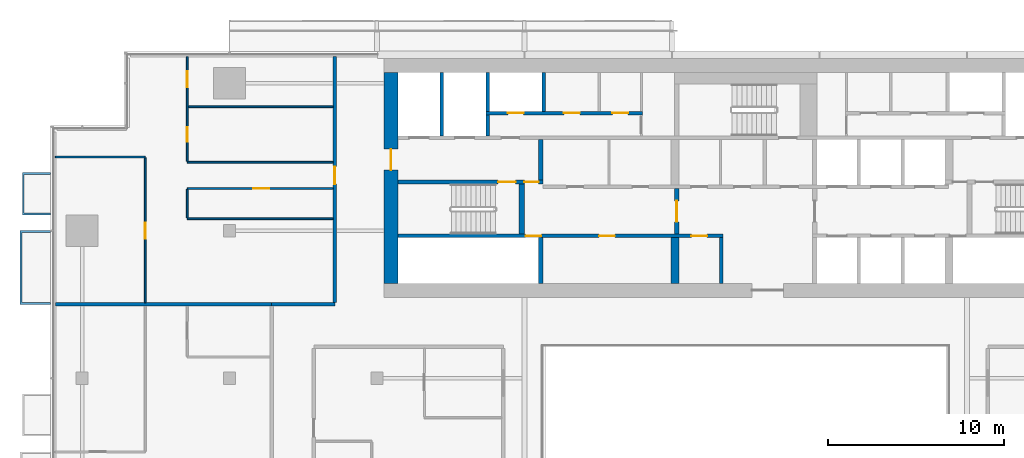
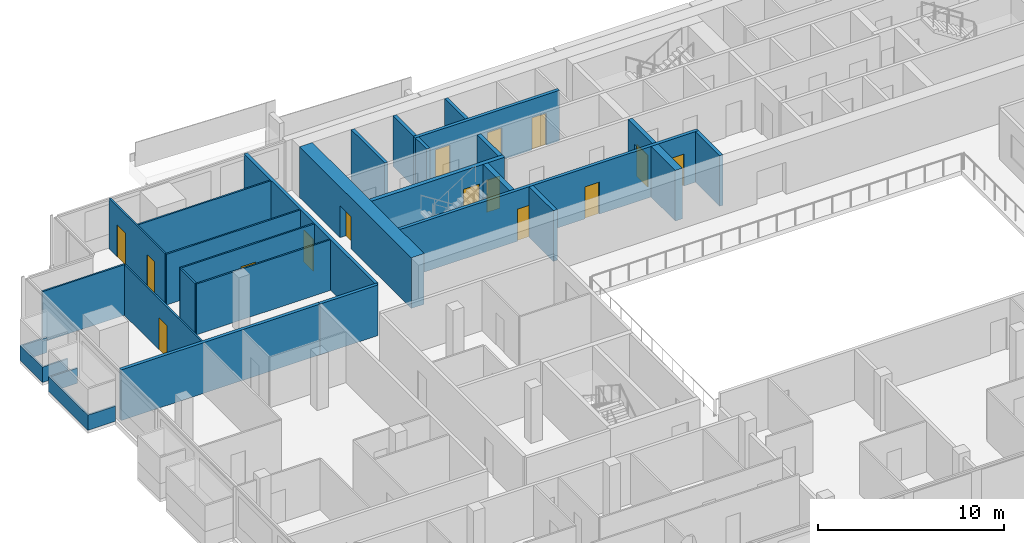
# One storey, part 20 of 28: 27 walls, 15 doors, 15 openings.
"""IFC4 building model written with IfcOpenShell, lengths in metres."""

from ifc_helpers import new_model, si_unit, direction, frame, frame_2d, origin, place, context, subcontext, project, spatial, polyline, rectangle, outline, extrude, material, layer, layer_set, type_object, element, fill, save


model = new_model("IFC4")

# Units and contexts
model_context = context("Model", 3, precision=1e-05, world=origin(), true_north=direction((0.0, 1.0)))
body_context = subcontext(model_context, "Body", "Model", "MODEL_VIEW")
ifc_project = project(units=[si_unit("LENGTHUNIT", "METRE"), si_unit("AREAUNIT", "SQUARE_METRE"), si_unit("VOLUMEUNIT", "CUBIC_METRE"), si_unit("PLANEANGLEUNIT", "RADIAN"), si_unit("MASSUNIT", "GRAM", prefix="KILO")], contexts=[model_context])

# Site, building, storey
site_placement = place(None, origin())
site = spatial("IfcSite", under=ifc_project, at=site_placement, CompositionType="ELEMENT")
building_placement = place(site_placement, origin())
building = spatial("IfcBuilding", under=site, at=building_placement, Name="Saffron Gate Tower", CompositionType="ELEMENT")
storey_placement = place(building_placement, frame((0.0, 0.0, 154.64990234375)))
storey = spatial("IfcBuildingStorey", under=building, at=storey_placement, Name="L37", CompositionType="ELEMENT", Elevation=154.64990234375)

# Wall
ifc_material_1 = material(Name="Gypsum board partition on steel studs", Category="steel")
ifc_layer_1 = layer(ifc_material_1, 0.199951171875)
ifc_layer_set_1 = layer_set([ifc_layer_1], Name="CW10 Core partition 200")
wall_type_1 = type_object("IfcWallType", Name="CW10 Core partition 200", PredefinedType="PARTITIONING", material=ifc_layer_set_1)
wall_1_placement = place(storey_placement, frame((86.199951171875, 62.39990234375, 0.0), z_axis=(0.0, 0.0, 1.0), x_axis=(0.0, 1.0, 0.0)))
element("IfcWall", 1, at=wall_1_placement, inside=storey, type_object=wall_type_1, Name="Wall CW10-L37-7", PredefinedType="PARTITIONING", context=body_context, shape_type="SweptSolid", body=[
    extrude(rectangle(XDim=2.60009765625, YDim=0.199951171875, at=frame_2d((1.300048828125, 0.0))), origin(), (0.0, 0.0, 1.0), 3.320068359375),
])

# Wall, opening, door
ifc_material_2 = material(Name="Concrete C60", Category="concrete")
ifc_layer_2 = layer(ifc_material_2, 0.800048828125)
ifc_layer_set_2 = layer_set([ifc_layer_2], Name="CW13 RC core wall 800 C60")
wall_type_2 = type_object("IfcWallType", Name="CW13 RC core wall 800 C60", PredefinedType="SOLIDWALL", material=ifc_layer_set_2)
wall_2_placement = place(storey_placement, frame((67.39990234375, 62.39990234375, 0.0), z_axis=(0.0, 0.0, 1.0), x_axis=(0.0, 1.0, 0.0)))
wall_2 = element("IfcWall", 2, at=wall_2_placement, inside=storey, type_object=wall_type_2, Name="Wall CW13-L37-3", PredefinedType="SOLIDWALL", context=body_context, shape_type="SweptSolid", body=[
    extrude(rectangle(XDim=12.0, YDim=0.800048828125, at=frame_2d((6.0, 0.0))), origin(), (0.0, 0.0, 1.0), 3.320068359375),
])
opening_1_placement = place(wall_2_placement, frame((6.449951171875, 0.0, 0.0)))
opening_1 = element("IfcOpeningElement", 3, at=opening_1_placement, cuts=wall_2, Name="Opening CR-10", PredefinedType="OPENING", context=body_context, shape_type="SweptSolid", body=[
    extrude(rectangle(XDim=1.199951171875, YDim=2.10009765625, at=frame_2d((0.60009765625, 1.050048828125))), frame((0.0, 0.41015625, 0.0), z_axis=(0.0, -1.0, 0.0), x_axis=(1.0, 0.0, 0.0)), (0.0, 0.0, 1.0), 0.820068359375),
])
ifc_material_3 = material(Name="Steel fire door set", Category="steel")
door_type_1 = type_object("IfcDoorType", Name="CD7 Core entrance door 1200x2100 EI 120", OperationType="NOTDEFINED", PredefinedType="DOOR", material=ifc_material_3)
door_1_placement = place(opening_1_placement, origin())
door_1 = element("IfcDoor", 4, at=door_1_placement, inside=storey, type_object=door_type_1, Name="DOOR CR-10", OperationType="SINGLE_SWING_LEFT", OverallHeight=2.10009765625, OverallWidth=1.199951171875, PredefinedType="DOOR", context=body_context, shape_type="SweptSolid", body=[
    extrude(rectangle(XDim=1.199951171875, YDim=2.10009765625, at=frame_2d((0.60009765625, 1.050048828125))), frame((0.0, 0.02490234375, 0.0), z_axis=(0.0, -1.0, 0.0), x_axis=(1.0, 0.0, 0.0)), (0.0, 0.0, 1.0), 0.050048828125),
])
fill(opening_1, door_1)

# Wall
ifc_layer_3 = layer(ifc_material_2, 0.25)
ifc_layer_set_3 = layer_set([ifc_layer_3], Name="CW14 RC core wall 250 C60")
wall_type_3 = type_object("IfcWallType", Name="CW14 RC core wall 250 C60", PredefinedType="SOLIDWALL", material=ifc_layer_set_3)
wall_3_placement = place(storey_placement, frame((75.925048828125, 62.39990234375, 0.0), z_axis=(0.0, 0.0, 1.0), x_axis=(0.0, 1.0, 0.0)))
element("IfcWall", 5, at=wall_3_placement, inside=storey, type_object=wall_type_3, Name="Wall CW14-L37-5", PredefinedType="SOLIDWALL", context=body_context, shape_type="SweptSolid", body=[
    extrude(rectangle(XDim=2.60009765625, YDim=0.25, at=frame_2d((1.300048828125, 0.0))), origin(), (0.0, 0.0, 1.0), 3.320068359375),
])

# Wall, opening, door
wall_4_placement = place(storey_placement, frame((83.675048828125, 65.199951171875, 0.0), z_axis=(0.0, 0.0, 1.0), x_axis=(0.0, 1.0, 0.0)))
wall_4 = element("IfcWall", 6, at=wall_4_placement, inside=storey, type_object=wall_type_3, Name="Wall CW14-L37-15", PredefinedType="SOLIDWALL", context=body_context, shape_type="SweptSolid", body=[
    extrude(rectangle(XDim=2.60009765625, YDim=0.25, at=frame_2d((1.300048828125, 0.0))), origin(), (0.0, 0.0, 1.0), 3.320068359375),
])
opening_2_placement = place(wall_4_placement, frame((0.699951171875, 0.0, 0.0)))
opening_2 = element("IfcOpeningElement", 7, at=opening_2_placement, cuts=wall_4, Name="Opening CR-07", PredefinedType="OPENING", context=body_context, shape_type="SweptSolid", body=[
    extrude(rectangle(XDim=1.199951171875, YDim=2.10009765625, at=frame_2d((0.60009765625, 1.050048828125))), frame((0.0, 0.135009765625, 0.0), z_axis=(0.0, -1.0, 0.0), x_axis=(1.0, 0.0, 0.0)), (0.0, 0.0, 1.0), 0.27001953125),
])
door_type_2 = type_object("IfcDoorType", Name="CD3 Lobby door 1200x2100 EI 120", OperationType="NOTDEFINED", PredefinedType="DOOR", material=ifc_material_3)
door_2_placement = place(opening_2_placement, origin())
door_2 = element("IfcDoor", 8, at=door_2_placement, inside=storey, type_object=door_type_2, Name="DOOR CR-07", OperationType="SINGLE_SWING_RIGHT", OverallHeight=2.10009765625, OverallWidth=1.199951171875, PredefinedType="DOOR", context=body_context, shape_type="SweptSolid", body=[
    extrude(rectangle(XDim=1.199951171875, YDim=2.10009765625, at=frame_2d((0.60009765625, 1.050048828125))), frame((0.0, 0.02490234375, 0.0), z_axis=(0.0, -1.0, 0.0), x_axis=(1.0, 0.0, 0.0)), (0.0, 0.0, 1.0), 0.050048828125),
])
fill(opening_2, door_2)

# Wall, openings, doors
wall_5_placement = place(storey_placement, frame((67.800048828125, 68.175048828125, 0.0), z_axis=(0.0, 0.0, 1.0), x_axis=(1.0, 0.0, 0.0)))
wall_5 = element("IfcWall", 9, at=wall_5_placement, inside=storey, type_object=wall_type_3, Name="Wall CW14-L37-27", PredefinedType="SOLIDWALL", context=body_context, shape_type="SweptSolid", body=[
    extrude(rectangle(XDim=8.25, YDim=0.25, at=frame_2d((4.125, 0.0))), origin(), (0.0, 0.0, 1.0), 3.320068359375),
])
opening_3_placement = place(wall_5_placement, frame((5.699951171875, 0.0, 0.0)))
opening_3 = element("IfcOpeningElement", 10, at=opening_3_placement, cuts=wall_5, Name="Opening CR-15", PredefinedType="OPENING", context=body_context, shape_type="SweptSolid", body=[
    extrude(rectangle(XDim=1.0, YDim=2.10009765625, at=frame_2d((0.5, 1.050048828125))), frame((0.0, 0.135009765625, 0.0), z_axis=(0.0, -1.0, 0.0), x_axis=(1.0, 0.0, 0.0)), (0.0, 0.0, 1.0), 0.27001953125),
])
opening_4_placement = place(wall_5_placement, frame((7.199951171875, 0.0, 0.0)))
opening_4 = element("IfcOpeningElement", 11, at=opening_4_placement, cuts=wall_5, Name="Opening CR-06", PredefinedType="OPENING", context=body_context, shape_type="SweptSolid", body=[
    extrude(rectangle(XDim=0.800048828125, YDim=2.10009765625, at=frame_2d((0.39990234375, 1.050048828125))), frame((0.0, 0.135009765625, 0.0), z_axis=(0.0, -1.0, 0.0), x_axis=(1.0, 0.0, 0.0)), (0.0, 0.0, 1.0), 0.27001953125),
])
door_type_3 = type_object("IfcDoorType", Name="CD5 Stair door 1000x2100 EI 120", OperationType="NOTDEFINED", PredefinedType="DOOR", material=ifc_material_3)
door_3_placement = place(opening_3_placement, origin())
door_3 = element("IfcDoor", 12, at=door_3_placement, inside=storey, type_object=door_type_3, Name="DOOR CR-15", OperationType="SINGLE_SWING_RIGHT", OverallHeight=2.10009765625, OverallWidth=1.0, PredefinedType="DOOR", context=body_context, shape_type="SweptSolid", body=[
    extrude(rectangle(XDim=1.0, YDim=2.10009765625, at=frame_2d((0.5, 1.050048828125))), frame((0.0, 0.02490234375, 0.0), z_axis=(0.0, -1.0, 0.0), x_axis=(1.0, 0.0, 0.0)), (0.0, 0.0, 1.0), 0.050048828125),
])
fill(opening_3, door_3)
door_type_4 = type_object("IfcDoorType", Name="CD6 Lobby door 800x2100 EI 120", OperationType="NOTDEFINED", PredefinedType="DOOR", material=ifc_material_3)
door_4_placement = place(opening_4_placement, origin())
door_4 = element("IfcDoor", 13, at=door_4_placement, inside=storey, type_object=door_type_4, Name="DOOR CR-06", OperationType="SINGLE_SWING_LEFT", OverallHeight=2.10009765625, OverallWidth=0.800048828125, PredefinedType="DOOR", context=body_context, shape_type="SweptSolid", body=[
    extrude(rectangle(XDim=0.800048828125, YDim=2.10009765625, at=frame_2d((0.39990234375, 1.050048828125))), frame((0.0, 0.02490234375, 0.0), z_axis=(0.0, -1.0, 0.0), x_axis=(1.0, 0.0, 0.0)), (0.0, 0.0, 1.0), 0.050048828125),
])
fill(opening_4, door_4)

# Wall
wall_6_placement = place(storey_placement, frame((75.925048828125, 68.300048828125, 0.0), z_axis=(0.0, 0.0, 1.0), x_axis=(0.0, 1.0, 0.0)))
element("IfcWall", 14, at=wall_6_placement, inside=storey, type_object=wall_type_3, Name="Wall CW14-L37-29", PredefinedType="SOLIDWALL", context=body_context, shape_type="SweptSolid", body=[
    extrude(rectangle(XDim=2.300048828125, YDim=0.25, at=frame_2d((1.14990234375, 0.0))), origin(), (0.0, 0.0, 1.0), 3.320068359375),
])

# Wall, openings, doors
ifc_layer_4 = layer(ifc_material_2, 0.199951171875)
ifc_layer_set_4 = layer_set([ifc_layer_4], Name="CW15 RC core wall 200 C60")
wall_type_4 = type_object("IfcWallType", Name="CW15 RC core wall 200 C60", PredefinedType="SOLIDWALL", material=ifc_layer_set_4)
wall_7_placement = place(storey_placement, frame((67.800048828125, 65.10009765625, 0.0), z_axis=(0.0, 0.0, 1.0), x_axis=(1.0, 0.0, 0.0)))
wall_7 = element("IfcWall", 15, at=wall_7_placement, inside=storey, type_object=wall_type_4, Name="Wall CW15-L37-12", PredefinedType="SOLIDWALL", context=body_context, shape_type="SweptSolid", body=[
    extrude(rectangle(XDim=18.5, YDim=0.199951171875, at=frame_2d((9.25, 0.0))), origin(), (0.0, 0.0, 1.0), 3.320068359375),
])
opening_5_placement = place(wall_7_placement, frame((7.27001953125, 0.0, 0.0)))
opening_5 = element("IfcOpeningElement", 16, at=opening_5_placement, cuts=wall_7, Name="Opening CR-49", PredefinedType="OPENING", context=body_context, shape_type="SweptSolid", body=[
    extrude(rectangle(XDim=0.89990234375, YDim=2.10009765625, at=frame_2d((0.449951171875, 1.050048828125))), frame((0.0, 0.10986328125, 0.0), z_axis=(0.0, -1.0, 0.0), x_axis=(1.0, 0.0, 0.0)), (0.0, 0.0, 1.0), 0.219970703125),
])
opening_6_placement = place(wall_7_placement, frame((11.449951171875, 0.0, 0.0)))
opening_6 = element("IfcOpeningElement", 17, at=opening_6_placement, cuts=wall_7, Name="Opening CR-64", PredefinedType="OPENING", context=body_context, shape_type="SweptSolid", body=[
    extrude(rectangle(XDim=0.89990234375, YDim=2.10009765625, at=frame_2d((0.449951171875, 1.050048828125))), frame((0.0, 0.10986328125, 0.0), z_axis=(0.0, -1.0, 0.0), x_axis=(1.0, 0.0, 0.0)), (0.0, 0.0, 1.0), 0.219970703125),
])
opening_7_placement = place(wall_7_placement, frame((16.699951171875, 0.0, 0.0)))
opening_7 = element("IfcOpeningElement", 18, at=opening_7_placement, cuts=wall_7, Name="Opening CR-69", PredefinedType="OPENING", context=body_context, shape_type="SweptSolid", body=[
    extrude(rectangle(XDim=0.89990234375, YDim=2.10009765625, at=frame_2d((0.449951171875, 1.050048828125))), frame((0.0, 0.10986328125, 0.0), z_axis=(0.0, -1.0, 0.0), x_axis=(1.0, 0.0, 0.0)), (0.0, 0.0, 1.0), 0.219970703125),
])
door_type_5 = type_object("IfcDoorType", Name="CD2 Riser door 900x2100 EI 60", OperationType="NOTDEFINED", PredefinedType="DOOR", material=ifc_material_3)
door_5_placement = place(opening_5_placement, origin())
door_5 = element("IfcDoor", 19, at=door_5_placement, inside=storey, type_object=door_type_5, Name="DOOR CR-49", OperationType="SINGLE_SWING_LEFT", OverallHeight=2.10009765625, OverallWidth=0.89990234375, PredefinedType="DOOR", context=body_context, shape_type="SweptSolid", body=[
    extrude(rectangle(XDim=0.89990234375, YDim=2.10009765625, at=frame_2d((0.449951171875, 1.050048828125))), frame((0.0, 0.02490234375, 0.0), z_axis=(0.0, -1.0, 0.0), x_axis=(1.0, 0.0, 0.0)), (0.0, 0.0, 1.0), 0.050048828125),
])
fill(opening_5, door_5)
door_type_6 = type_object("IfcDoorType", Name="CD9 Room door 900x2100 EI 60", OperationType="NOTDEFINED", PredefinedType="DOOR", material=ifc_material_3)
door_6_placement = place(opening_6_placement, origin())
door_6 = element("IfcDoor", 20, at=door_6_placement, inside=storey, type_object=door_type_6, Name="DOOR CR-64", OperationType="SINGLE_SWING_RIGHT", OverallHeight=2.10009765625, OverallWidth=0.89990234375, PredefinedType="DOOR", context=body_context, shape_type="SweptSolid", body=[
    extrude(rectangle(XDim=0.89990234375, YDim=2.10009765625, at=frame_2d((0.449951171875, 1.050048828125))), frame((0.0, 0.02490234375, 0.0), z_axis=(0.0, -1.0, 0.0), x_axis=(1.0, 0.0, 0.0)), (0.0, 0.0, 1.0), 0.050048828125),
])
fill(opening_6, door_6)
door_7_placement = place(opening_7_placement, origin())
door_7 = element("IfcDoor", 21, at=door_7_placement, inside=storey, type_object=door_type_6, Name="DOOR CR-69", OperationType="SINGLE_SWING_RIGHT", OverallHeight=2.10009765625, OverallWidth=0.89990234375, PredefinedType="DOOR", context=body_context, shape_type="SweptSolid", body=[
    extrude(rectangle(XDim=0.89990234375, YDim=2.10009765625, at=frame_2d((0.449951171875, 1.050048828125))), frame((0.0, 0.02490234375, 0.0), z_axis=(0.0, -1.0, 0.0), x_axis=(1.0, 0.0, 0.0)), (0.0, 0.0, 1.0), 0.050048828125),
])
fill(opening_7, door_7)

# Walls
wall_8_placement = place(storey_placement, frame((70.300048828125, 70.800048828125, 0.0), z_axis=(0.0, 0.0, 1.0), x_axis=(0.0, 1.0, 0.0)))
element("IfcWall", 22, at=wall_8_placement, inside=storey, type_object=wall_type_4, Name="Wall CW15-L37-32", PredefinedType="SOLIDWALL", context=body_context, shape_type="SweptSolid", body=[
    extrude(rectangle(XDim=3.599853515625, YDim=0.199951171875, at=frame_2d((1.7998046875, 0.0))), origin(), (0.0, 0.0, 1.0), 3.320068359375),
])
wall_9_placement = place(storey_placement, frame((72.89990234375, 70.800048828125, 0.0), z_axis=(0.0, 0.0, 1.0), x_axis=(0.0, 1.0, 0.0)))
element("IfcWall", 23, at=wall_9_placement, inside=storey, type_object=wall_type_4, Name="Wall CW15-L37-33", PredefinedType="SOLIDWALL", context=body_context, shape_type="SweptSolid", body=[
    extrude(rectangle(XDim=1.199951171875, YDim=0.199951171875, at=frame_2d((0.60009765625, 0.0))), origin(), (0.0, 0.0, 1.0), 3.320068359375),
])

# Wall, openings, doors
wall_10_placement = place(storey_placement, frame((72.800048828125, 72.10009765625, 0.0), z_axis=(0.0, 0.0, 1.0), x_axis=(1.0, 0.0, 0.0)))
wall_10 = element("IfcWall", 24, at=wall_10_placement, inside=storey, type_object=wall_type_4, Name="Wall CW15-L37-40", PredefinedType="SOLIDWALL", context=body_context, shape_type="SweptSolid", body=[
    extrude(rectangle(XDim=8.919921875, YDim=0.199951171875, at=frame_2d((4.4599609375, 0.0))), origin(), (0.0, 0.0, 1.0), 3.320068359375),
])
opening_8_placement = place(wall_10_placement, frame((1.25, 0.0, 0.0)))
opening_8 = element("IfcOpeningElement", 25, at=opening_8_placement, cuts=wall_10, Name="Opening CR-71", PredefinedType="OPENING", context=body_context, shape_type="SweptSolid", body=[
    extrude(rectangle(XDim=0.89990234375, YDim=2.10009765625, at=frame_2d((0.449951171875, 1.050048828125))), frame((0.0, 0.10986328125, 0.0), z_axis=(0.0, -1.0, 0.0), x_axis=(1.0, 0.0, 0.0)), (0.0, 0.0, 1.0), 0.219970703125),
])
opening_9_placement = place(wall_10_placement, frame((4.449951171875, 0.0, 0.0)))
opening_9 = element("IfcOpeningElement", 26, at=opening_9_placement, cuts=wall_10, Name="Opening CR-55", PredefinedType="OPENING", context=body_context, shape_type="SweptSolid", body=[
    extrude(rectangle(XDim=0.89990234375, YDim=2.10009765625, at=frame_2d((0.449951171875, 1.050048828125))), frame((0.0, 0.10986328125, 0.0), z_axis=(0.0, -1.0, 0.0), x_axis=(1.0, 0.0, 0.0)), (0.0, 0.0, 1.0), 0.219970703125),
])
opening_10_placement = place(wall_10_placement, frame((7.2099609375, 0.0, 0.0)))
opening_10 = element("IfcOpeningElement", 27, at=opening_10_placement, cuts=wall_10, Name="Opening CR-58", PredefinedType="OPENING", context=body_context, shape_type="SweptSolid", body=[
    extrude(rectangle(XDim=0.89990234375, YDim=2.10009765625, at=frame_2d((0.449951171875, 1.050048828125))), frame((0.0, 0.10986328125, 0.0), z_axis=(0.0, -1.0, 0.0), x_axis=(1.0, 0.0, 0.0)), (0.0, 0.0, 1.0), 0.219970703125),
])
door_8_placement = place(opening_8_placement, origin())
door_8 = element("IfcDoor", 28, at=door_8_placement, inside=storey, type_object=door_type_5, Name="DOOR CR-71", OperationType="SINGLE_SWING_LEFT", OverallHeight=2.10009765625, OverallWidth=0.89990234375, PredefinedType="DOOR", context=body_context, shape_type="SweptSolid", body=[
    extrude(rectangle(XDim=0.89990234375, YDim=2.10009765625, at=frame_2d((0.449951171875, 1.050048828125))), frame((0.0, 0.02490234375, 0.0), z_axis=(0.0, -1.0, 0.0), x_axis=(1.0, 0.0, 0.0)), (0.0, 0.0, 1.0), 0.050048828125),
])
fill(opening_8, door_8)
door_9_placement = place(opening_9_placement, origin())
door_9 = element("IfcDoor", 29, at=door_9_placement, inside=storey, type_object=door_type_6, Name="DOOR CR-55", OperationType="SINGLE_SWING_LEFT", OverallHeight=2.10009765625, OverallWidth=0.89990234375, PredefinedType="DOOR", context=body_context, shape_type="SweptSolid", body=[
    extrude(rectangle(XDim=0.89990234375, YDim=2.10009765625, at=frame_2d((0.449951171875, 1.050048828125))), frame((0.0, 0.02490234375, 0.0), z_axis=(0.0, -1.0, 0.0), x_axis=(1.0, 0.0, 0.0)), (0.0, 0.0, 1.0), 0.050048828125),
])
fill(opening_9, door_9)
door_10_placement = place(opening_10_placement, origin())
door_10 = element("IfcDoor", 30, at=door_10_placement, inside=storey, type_object=door_type_6, Name="DOOR CR-58", OperationType="SINGLE_SWING_LEFT", OverallHeight=2.10009765625, OverallWidth=0.89990234375, PredefinedType="DOOR", context=body_context, shape_type="SweptSolid", body=[
    extrude(rectangle(XDim=0.89990234375, YDim=2.10009765625, at=frame_2d((0.449951171875, 1.050048828125))), frame((0.0, 0.02490234375, 0.0), z_axis=(0.0, -1.0, 0.0), x_axis=(1.0, 0.0, 0.0)), (0.0, 0.0, 1.0), 0.050048828125),
])
fill(opening_10, door_10)

# Walls
for number, where, z_axis, x_axis, name in (
    (31, (72.89990234375, 72.199951171875, 0.0), (0.0, 0.0, 1.0), (0.0, 1.0, 0.0), "Wall CW15-L37-42"),
    (32, (76.10009765625, 72.199951171875, 0.0), (0.0, 0.0, 1.0), (0.0, 1.0, 0.0), "Wall CW15-L37-43"),
):
    element("IfcWall", number, at=place(storey_placement, frame(where, z_axis=z_axis, x_axis=x_axis)), inside=storey, type_object=wall_type_4, Name=name, PredefinedType="SOLIDWALL", context=body_context, shape_type="SweptSolid", body=[
        extrude(rectangle(XDim=2.199951171875, YDim=0.199951171875, at=frame_2d((1.10009765625, 0.0))), origin(), (0.0, 0.0, 1.0), 3.320068359375),
    ])
ifc_layer_5 = layer(ifc_material_2, 0.449951171875)
ifc_layer_set_5 = layer_set([ifc_layer_5], Name="CW16 RC core wall 450 C60")
wall_type_5 = type_object("IfcWallType", Name="CW16 RC core wall 450 C60", PredefinedType="SOLIDWALL", material=ifc_layer_set_5)
wall_11_placement = place(storey_placement, frame((83.574951171875, 62.39990234375, 0.0), z_axis=(0.0, 0.0, 1.0), x_axis=(0.0, 1.0, 0.0)))
element("IfcWall", 33, at=wall_11_placement, inside=storey, type_object=wall_type_5, Name="Wall CW16-L37-6", PredefinedType="SOLIDWALL", context=body_context, shape_type="SweptSolid", body=[
    extrude(rectangle(XDim=2.60009765625, YDim=0.449951171875, at=frame_2d((1.300048828125, 0.0))), origin(), (0.0, 0.0, 1.0), 3.320068359375),
])
ifc_layer_6 = layer(ifc_material_2, 0.300048828125)
ifc_layer_set_6 = layer_set([ifc_layer_6], Name="CW17 RC core wall 300 C60")
wall_type_6 = type_object("IfcWallType", Name="CW17 RC core wall 300 C60", PredefinedType="SOLIDWALL", material=ifc_layer_set_6)
wall_12_placement = place(storey_placement, frame((74.85009765625, 65.199951171875, 0.0), z_axis=(0.0, 0.0, 1.0), x_axis=(0.0, 1.0, 0.0)))
element("IfcWall", 34, at=wall_12_placement, inside=storey, type_object=wall_type_6, Name="Wall CW17-L37-14", PredefinedType="SOLIDWALL", context=body_context, shape_type="SweptSolid", body=[
    extrude(rectangle(XDim=2.85009765625, YDim=0.300048828125, at=frame_2d((1.425048828125, 0.0))), origin(), (0.0, 0.0, 1.0), 3.320068359375),
])
ifc_material_4 = material(Name="Plasterboard on steel studs", Category="steel")
ifc_layer_7 = layer(ifc_material_4, 0.10009765625)
ifc_layer_set_7 = layer_set([ifc_layer_7], Name="PW1 Partition 100")
wall_type_7 = type_object("IfcWallType", Name="PW1 Partition 100", PredefinedType="PARTITIONING", material=ifc_layer_set_7)
wall_13_placement = place(storey_placement, frame((55.800048828125, 66.0810546875, 0.0), z_axis=(0.0, 0.0, 1.0), x_axis=(1.0, 0.0, 0.0)))
element("IfcWall", 35, at=wall_13_placement, inside=storey, type_object=wall_type_7, Name="Partition C1-48", PredefinedType="PARTITIONING", context=body_context, shape_type="SweptSolid", body=[
    extrude(rectangle(XDim=8.300048828125, YDim=0.10009765625, at=frame_2d((4.14990234375, 0.0))), origin(), (0.0, 0.0, 1.0), 3.320068359375),
])

# Wall, opening, door
wall_14_placement = place(storey_placement, frame((64.10009765625, 67.800048828125, 0.0), z_axis=(0.0, 0.0, 1.0), x_axis=(-1.0, 0.0, 0.0)))
wall_14 = element("IfcWall", 36, at=wall_14_placement, inside=storey, type_object=wall_type_7, Name="Partition C1-50", PredefinedType="PARTITIONING", context=body_context, shape_type="SweptSolid", body=[
    extrude(rectangle(XDim=8.300048828125, YDim=0.10009765625, at=frame_2d((4.14990234375, 0.0))), origin(), (0.0, 0.0, 1.0), 3.320068359375),
])
opening_11_placement = place(wall_14_placement, frame((3.64990234375, 0.0, 0.0)))
opening_11 = element("IfcOpeningElement", 37, at=opening_11_placement, cuts=wall_14, Name="Opening C1-29", PredefinedType="OPENING", context=body_context, shape_type="SweptSolid", body=[
    extrude(rectangle(XDim=0.89990234375, YDim=2.10009765625, at=frame_2d((0.449951171875, 1.050048828125))), frame((0.0, 0.06005859375, 0.0), z_axis=(0.0, -1.0, 0.0), x_axis=(1.0, 0.0, 0.0)), (0.0, 0.0, 1.0), 0.1201171875),
])
ifc_material_5 = material(Name="Timber door set", Category="wood")
door_type_7 = type_object("IfcDoorType", Name="RD1 Room door 900x2100", OperationType="NOTDEFINED", PredefinedType="DOOR", material=ifc_material_5)
door_11_placement = place(opening_11_placement, origin())
door_11 = element("IfcDoor", 38, at=door_11_placement, inside=storey, type_object=door_type_7, Name="Door C1-29", OperationType="SINGLE_SWING_LEFT", OverallHeight=2.10009765625, OverallWidth=0.89990234375, PredefinedType="DOOR", context=body_context, shape_type="SweptSolid", body=[
    extrude(rectangle(XDim=0.89990234375, YDim=2.10009765625, at=frame_2d((0.449951171875, 1.050048828125))), frame((0.0, 0.02490234375, 0.0), z_axis=(0.0, -1.0, 0.0), x_axis=(1.0, 0.0, 0.0)), (0.0, 0.0, 1.0), 0.050048828125),
])
fill(opening_11, door_11)

# Walls
wall_15_placement = place(storey_placement, frame((55.800048828125, 69.300048828125, 0.0), z_axis=(0.0, 0.0, 1.0), x_axis=(1.0, 0.0, 0.0)))
element("IfcWall", 39, at=wall_15_placement, inside=storey, type_object=wall_type_7, Name="Partition C1-51", PredefinedType="PARTITIONING", context=body_context, shape_type="SweptSolid", body=[
    extrude(rectangle(XDim=8.300048828125, YDim=0.10009765625, at=frame_2d((4.14990234375, 0.0))), origin(), (0.0, 0.0, 1.0), 3.320068359375),
])
wall_16_placement = place(storey_placement, frame((48.280029296875, 69.60009765625, 0.0), z_axis=(0.0, 0.0, 1.0), x_axis=(1.0, 0.0, 0.0)))
element("IfcWall", 40, at=wall_16_placement, inside=storey, type_object=wall_type_7, Name="Partition C1-52", PredefinedType="PARTITIONING", context=body_context, shape_type="SweptSolid", body=[
    extrude(rectangle(XDim=5.119873046875, YDim=0.10009765625, at=frame_2d((2.56005859375, 0.0))), origin(), (0.0, 0.0, 1.0), 3.320068359375),
])
wall_17_placement = place(storey_placement, frame((55.85009765625, 72.454833984375, 0.0), z_axis=(0.0, 0.0, 1.0), x_axis=(1.0, 0.0, 0.0)))
element("IfcWall", 41, at=wall_17_placement, inside=storey, type_object=wall_type_7, Name="Partition C1-56", PredefinedType="PARTITIONING", context=body_context, shape_type="SweptSolid", body=[
    extrude(rectangle(XDim=8.25, YDim=0.10009765625, at=frame_2d((4.125, 0.0))), origin(), (0.0, 0.0, 1.0), 3.320068359375),
])
wall_18_placement = place(storey_placement, frame((55.800048828125, 67.75, 0.0), z_axis=(0.0, 0.0, 1.0), x_axis=(0.0, -1.0, 0.0)))
element("IfcWall", 42, at=wall_18_placement, inside=storey, type_object=wall_type_7, Name="Partition C1-62", PredefinedType="PARTITIONING", context=body_context, shape_type="SweptSolid", body=[
    extrude(rectangle(XDim=1.618896484375, YDim=0.10009765625, at=frame_2d((0.8095703125, 0.0))), origin(), (0.0, 0.0, 1.0), 3.320068359375),
])

# Wall, openings, doors
wall_19_placement = place(storey_placement, frame((55.800048828125, 75.320068359375, 0.0), z_axis=(0.0, 0.0, 1.0), x_axis=(0.0, -1.0, 0.0)))
wall_19 = element("IfcWall", 43, at=wall_19_placement, inside=storey, type_object=wall_type_7, Name="Partition C1-63", PredefinedType="PARTITIONING", context=body_context, shape_type="SweptSolid", body=[
    extrude(rectangle(XDim=5.969970703125, YDim=0.10009765625, at=frame_2d((2.98486328125, 0.0))), origin(), (0.0, 0.0, 1.0), 3.320068359375),
])
opening_12_placement = place(wall_19_placement, frame((0.842529296875, 0.0, 0.0)))
opening_12 = element("IfcOpeningElement", 44, at=opening_12_placement, cuts=wall_19, Name="Opening C1-30", PredefinedType="OPENING", context=body_context, shape_type="SweptSolid", body=[
    extrude(rectangle(XDim=0.89990234375, YDim=2.10009765625, at=frame_2d((0.449951171875, 1.050048828125))), frame((0.0, 0.06005859375, 0.0), z_axis=(0.0, -1.0, 0.0), x_axis=(1.0, 0.0, 0.0)), (0.0, 0.0, 1.0), 0.1201171875),
])
opening_13_placement = place(wall_19_placement, frame((4.04248046875, 0.0, 0.0)))
opening_13 = element("IfcOpeningElement", 45, at=opening_13_placement, cuts=wall_19, Name="Opening C1-48", PredefinedType="OPENING", context=body_context, shape_type="SweptSolid", body=[
    extrude(rectangle(XDim=0.800048828125, YDim=2.10009765625, at=frame_2d((0.39990234375, 1.050048828125))), frame((0.0, 0.06005859375, 0.0), z_axis=(0.0, -1.0, 0.0), x_axis=(1.0, 0.0, 0.0)), (0.0, 0.0, 1.0), 0.1201171875),
])
door_12_placement = place(opening_12_placement, origin())
door_12 = element("IfcDoor", 46, at=door_12_placement, inside=storey, type_object=door_type_7, Name="Door C1-30", OperationType="SINGLE_SWING_LEFT", OverallHeight=2.10009765625, OverallWidth=0.89990234375, PredefinedType="DOOR", context=body_context, shape_type="SweptSolid", body=[
    extrude(rectangle(XDim=0.89990234375, YDim=2.10009765625, at=frame_2d((0.449951171875, 1.050048828125))), frame((0.0, 0.02490234375, 0.0), z_axis=(0.0, -1.0, 0.0), x_axis=(1.0, 0.0, 0.0)), (0.0, 0.0, 1.0), 0.050048828125),
])
fill(opening_12, door_12)
door_type_8 = type_object("IfcDoorType", Name="RD2 Bathroom door 800x2100", OperationType="NOTDEFINED", PredefinedType="DOOR", material=ifc_material_5)
door_13_placement = place(opening_13_placement, origin())
door_13 = element("IfcDoor", 47, at=door_13_placement, inside=storey, type_object=door_type_8, Name="Door C1-48", OperationType="SINGLE_SWING_RIGHT", OverallHeight=2.10009765625, OverallWidth=0.800048828125, PredefinedType="DOOR", context=body_context, shape_type="SweptSolid", body=[
    extrude(rectangle(XDim=0.800048828125, YDim=2.10009765625, at=frame_2d((0.39990234375, 1.050048828125))), frame((0.0, 0.02490234375, 0.0), z_axis=(0.0, -1.0, 0.0), x_axis=(1.0, 0.0, 0.0)), (0.0, 0.0, 1.0), 0.050048828125),
])
fill(opening_13, door_13)

# Wall, opening, door
wall_20_placement = place(storey_placement, frame((53.39990234375, 61.300048828125, 0.0), z_axis=(0.0, 0.0, 1.0), x_axis=(0.0, 1.0, 0.0)))
wall_20 = element("IfcWall", 48, at=wall_20_placement, inside=storey, type_object=wall_type_7, Name="Partition C1-121", PredefinedType="PARTITIONING", context=body_context, shape_type="SweptSolid", body=[
    extrude(rectangle(XDim=8.25, YDim=0.10009765625, at=frame_2d((4.125, 0.0))), origin(), (0.0, 0.0, 1.0), 3.320068359375),
])
opening_14_placement = place(wall_20_placement, frame((3.64990234375, 0.0, 0.0)))
opening_14 = element("IfcOpeningElement", 49, at=opening_14_placement, cuts=wall_20, Name="Opening C1-28", PredefinedType="OPENING", context=body_context, shape_type="SweptSolid", body=[
    extrude(rectangle(XDim=0.89990234375, YDim=2.10009765625, at=frame_2d((0.449951171875, 1.050048828125))), frame((0.0, 0.06005859375, 0.0), z_axis=(0.0, -1.0, 0.0), x_axis=(1.0, 0.0, 0.0)), (0.0, 0.0, 1.0), 0.1201171875),
])
door_14_placement = place(opening_14_placement, origin())
door_14 = element("IfcDoor", 50, at=door_14_placement, inside=storey, type_object=door_type_7, Name="Door C1-28", OperationType="SINGLE_SWING_LEFT", OverallHeight=2.10009765625, OverallWidth=0.89990234375, PredefinedType="DOOR", context=body_context, shape_type="SweptSolid", body=[
    extrude(rectangle(XDim=0.89990234375, YDim=2.10009765625, at=frame_2d((0.449951171875, 1.050048828125))), frame((0.0, 0.02490234375, 0.0), z_axis=(0.0, -1.0, 0.0), x_axis=(1.0, 0.0, 0.0)), (0.0, 0.0, 1.0), 0.050048828125),
])
fill(opening_14, door_14)

# Walls
ifc_material_6 = material(Name="Clay brick masonry, rendered", Category="masonry")
ifc_layer_8 = layer(ifc_material_6, 0.199951171875)
ifc_layer_set_8 = layer_set([ifc_layer_8], Name="PW2 Demising wall 200")
wall_type_8 = type_object("IfcWallType", Name="PW2 Demising wall 200", PredefinedType="PARTITIONING", material=ifc_layer_set_8)
wall_21_placement = place(storey_placement, frame((48.280029296875, 61.199951171875, 0.0), z_axis=(0.0, 0.0, 1.0), x_axis=(1.0, 0.0, 0.0)))
element("IfcWall", 51, at=wall_21_placement, inside=storey, type_object=wall_type_8, Name="Wall C1-44", PredefinedType="PARTITIONING", context=body_context, shape_type="SweptSolid", body=[
    extrude(rectangle(XDim=12.320068359375, YDim=0.199951171875, at=frame_2d((6.16015625, 0.0))), origin(), (0.0, 0.0, 1.0), 3.320068359375),
])
ifc_layer_9 = layer(ifc_material_6, 0.199951171875)
ifc_layer_set_9 = layer_set([ifc_layer_9], Name="PW3 Corridor wall 200")
wall_type_9 = type_object("IfcWallType", Name="PW3 Corridor wall 200", PredefinedType="PARTITIONING", material=ifc_layer_set_9)
wall_22_placement = place(storey_placement, frame((60.60009765625, 61.199951171875, 0.0), z_axis=(0.0, 0.0, 1.0), x_axis=(1.0, 0.0, 0.0)))
element("IfcWall", 52, at=wall_22_placement, inside=storey, type_object=wall_type_9, Name="Wall C1-42", PredefinedType="PARTITIONING", context=body_context, shape_type="SweptSolid", body=[
    extrude(rectangle(XDim=3.599853515625, YDim=0.199951171875, at=frame_2d((1.7998046875, 0.0))), origin(), (0.0, 0.0, 1.0), 3.320068359375),
])

# Wall, opening, door
wall_23_placement = place(storey_placement, frame((64.199951171875, 61.300048828125, 0.0), z_axis=(0.0, 0.0, 1.0), x_axis=(0.0, 1.0, 0.0)))
wall_23 = element("IfcWall", 53, at=wall_23_placement, inside=storey, type_object=wall_type_9, Name="Wall C1-70", PredefinedType="PARTITIONING", context=body_context, shape_type="SweptSolid", body=[
    extrude(rectangle(XDim=14.02001953125, YDim=0.199951171875, at=frame_2d((7.010009765625, 0.0))), origin(), (0.0, 0.0, 1.0), 3.320068359375),
])
opening_15_placement = place(wall_23_placement, frame((6.75, 0.0, 0.0)))
opening_15 = element("IfcOpeningElement", 54, at=opening_15_placement, cuts=wall_23, Name="Opening C1-6", PredefinedType="OPENING", context=body_context, shape_type="SweptSolid", body=[
    extrude(rectangle(XDim=1.0, YDim=2.10009765625, at=frame_2d((0.5, 1.050048828125))), frame((0.0, 0.10986328125, 0.0), z_axis=(0.0, -1.0, 0.0), x_axis=(1.0, 0.0, 0.0)), (0.0, 0.0, 1.0), 0.219970703125),
])
ifc_material_7 = material(Name="Timber fire door set", Category="wood")
door_type_9 = type_object("IfcDoorType", Name="FD1 Flat entry door 1000x2100", OperationType="NOTDEFINED", PredefinedType="DOOR", material=ifc_material_7)
door_15_placement = place(opening_15_placement, origin())
door_15 = element("IfcDoor", 55, at=door_15_placement, inside=storey, type_object=door_type_9, Name="Door C1-6", OperationType="SINGLE_SWING_LEFT", OverallHeight=2.10009765625, OverallWidth=1.0, PredefinedType="DOOR", context=body_context, shape_type="SweptSolid", body=[
    extrude(rectangle(XDim=1.0, YDim=2.10009765625, at=frame_2d((0.5, 1.050048828125))), frame((0.0, 0.02490234375, 0.0), z_axis=(0.0, -1.0, 0.0), x_axis=(1.0, 0.0, 0.0)), (0.0, 0.0, 1.0), 0.050048828125),
])
fill(opening_15, door_15)

# Walls
ifc_material_8 = material(Name="Rendered insulated panel, white")
ifc_layer_10 = layer(ifc_material_8, 0.10009765625)
ifc_layer_set_10 = layer_set([ifc_layer_10], Name="WB3 box parapet white")
wall_type_10 = type_object("IfcWallType", Name="WB3 box parapet white", PredefinedType="SOLIDWALL", material=ifc_layer_set_10)
wall_24_placement = place(storey_placement, origin())
element("IfcWall", 56, at=wall_24_placement, inside=storey, type_object=wall_type_10, Name="WINDOW BOX parapet", PredefinedType="SOLIDWALL", context=body_context, shape_type="SweptSolid", body=[
    extrude(outline(polyline([(48.0, 68.699951171875), (48.0, 68.60009765625), (46.5, 68.60009765625), (46.5, 66.39990234375), (48.0, 66.39990234375), (48.0, 66.300048828125), (46.39990234375, 66.300048828125), (46.39990234375, 68.699951171875), (48.0, 68.699951171875)])), origin(), (0.0, 0.0, 1.0), 1.0),
])
wall_25_placement = place(storey_placement, origin())
element("IfcWall", 57, at=wall_25_placement, inside=storey, type_object=wall_type_10, Name="WINDOW BOX parapet", PredefinedType="SOLIDWALL", context=body_context, shape_type="SweptSolid", body=[
    extrude(outline(polyline([(48.0, 65.39990234375), (48.0, 65.300048828125), (46.366943359375, 65.300048828125), (46.366943359375, 61.300048828125), (48.0, 61.300048828125), (48.0, 61.199951171875), (46.26708984375, 61.199951171875), (46.26708984375, 65.39990234375), (48.0, 65.39990234375)])), origin(), (0.0, 0.0, 1.0), 1.0),
])

save(model, "model.ifc")
